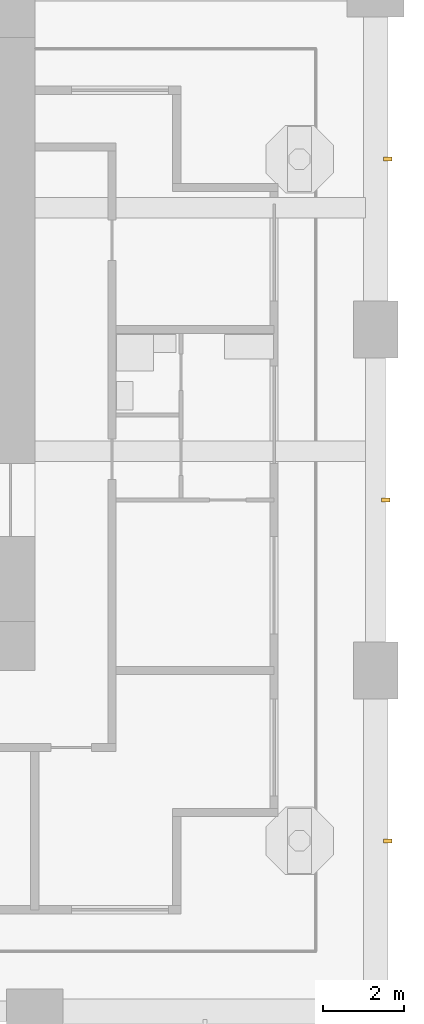
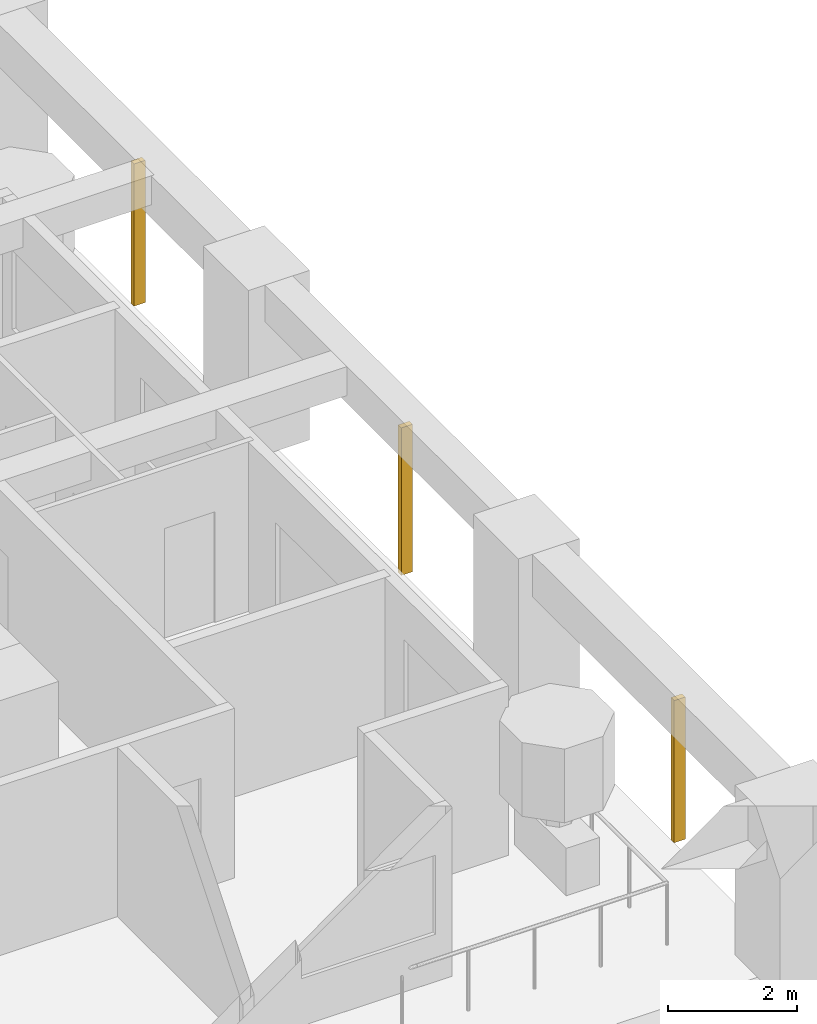
# One storey, part 18 of 21: 3 shading devices.
"""IFC4 building model written with IfcOpenShell, lengths in metres."""

from ifc_helpers import new_model, si_unit, direction, frame, origin, origin_2d, place, context, subcontext, project, spatial, rectangle, extrude, material, material_profile, profile_set, type_object, element, save


model = new_model("IFC4")

# Units and contexts
model_context = context("Model", 3, precision=1e-05, world=origin(), true_north=direction((0.0, 1.0)))
body_context = subcontext(model_context, "Body", "Model", "MODEL_VIEW")
ifc_project = project(units=[si_unit("LENGTHUNIT", "METRE"), si_unit("AREAUNIT", "SQUARE_METRE"), si_unit("VOLUMEUNIT", "CUBIC_METRE"), si_unit("PLANEANGLEUNIT", "RADIAN"), si_unit("MASSUNIT", "GRAM", prefix="KILO")], contexts=[model_context])

# Site, building, storey
site_placement = place(None, origin())
site = spatial("IfcSite", under=ifc_project, at=site_placement, CompositionType="ELEMENT")
building_placement = place(site_placement, origin())
building = spatial("IfcBuilding", under=site, at=building_placement, Name="Vermilion Gate Residences", CompositionType="ELEMENT")
storey_placement = place(building_placement, frame((0.0, 0.0, 67.199951171875)))
storey = spatial("IfcBuildingStorey", under=building, at=storey_placement, Name="L16", CompositionType="ELEMENT", Elevation=67.199951171875)

# Shading devices
ifc_material = material(Name="Extruded terracotta", Category="masonry")
ifc_material_profile = material_profile(ifc_material, rectangle(XDim=0.199951171875, YDim=0.10009765625, at=origin_2d()), Name="BAGUETTE 100 X 200")
ifc_profile_set = profile_set([ifc_material_profile], Name="Extruded terracotta")
shading_device_type = type_object("IfcShadingDeviceType", Name="TERRACOTTA BAGUETTE 100 X 200", PredefinedType="JALOUSIE", material=ifc_profile_set)
shading_device_1_placement = place(storey_placement, frame((67.5, 4.199951171875, -0.280029296875), z_axis=(0.0, 0.0, 1.0), x_axis=(-1.0, 0.0, 0.0)))
element("IfcShadingDevice", 1, at=shading_device_1_placement, inside=storey, type_object=shading_device_type, Name="BAGUETTE", PredefinedType="JALOUSIE", context=body_context, shape_type="SweptSolid", body=[
    extrude(rectangle(XDim=0.199951171875, YDim=0.10009765625, at=origin_2d()), origin(), (0.0, 0.0, 1.0), 2.7001953125),
])
shading_device_2_placement = place(storey_placement, frame((67.449951171875, 12.60009765625, -0.280029296875), z_axis=(0.0, 0.0, 1.0), x_axis=(-1.0, 0.0, 0.0)))
element("IfcShadingDevice", 2, at=shading_device_2_placement, inside=storey, type_object=shading_device_type, Name="BAGUETTE", PredefinedType="JALOUSIE", context=body_context, shape_type="SweptSolid", body=[
    extrude(rectangle(XDim=0.199951171875, YDim=0.10009765625, at=origin_2d()), origin(), (0.0, 0.0, 1.0), 2.800048828125),
])
shading_device_3_placement = place(storey_placement, frame((67.5, 21.0, -0.280029296875), z_axis=(0.0, 0.0, 1.0), x_axis=(-1.0, 0.0, 0.0)))
element("IfcShadingDevice", 3, at=shading_device_3_placement, inside=storey, type_object=shading_device_type, Name="BAGUETTE", PredefinedType="JALOUSIE", context=body_context, shape_type="SweptSolid", body=[
    extrude(rectangle(XDim=0.199951171875, YDim=0.10009765625, at=origin_2d()), origin(), (0.0, 0.0, 1.0), 2.7001953125),
])

save(model, "model.ifc")
